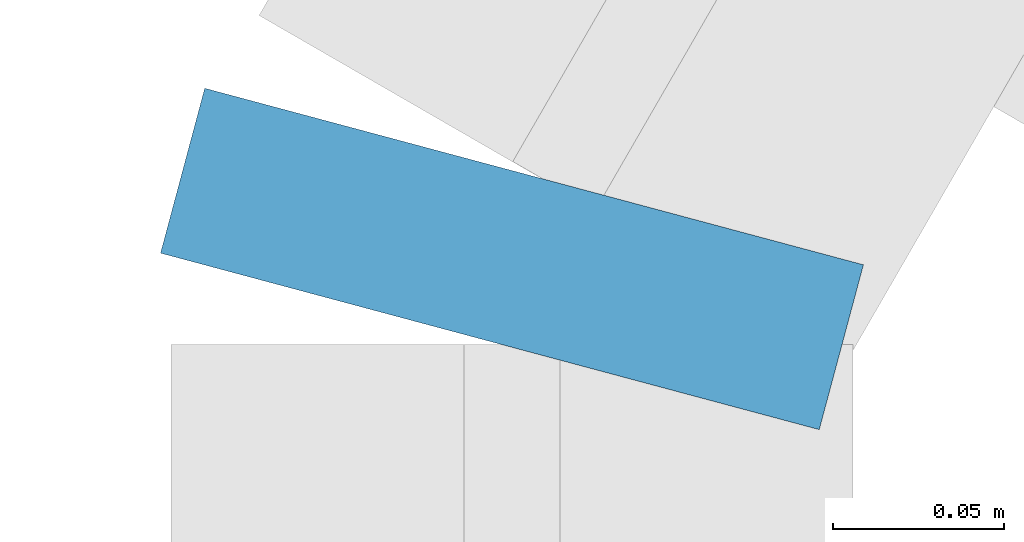
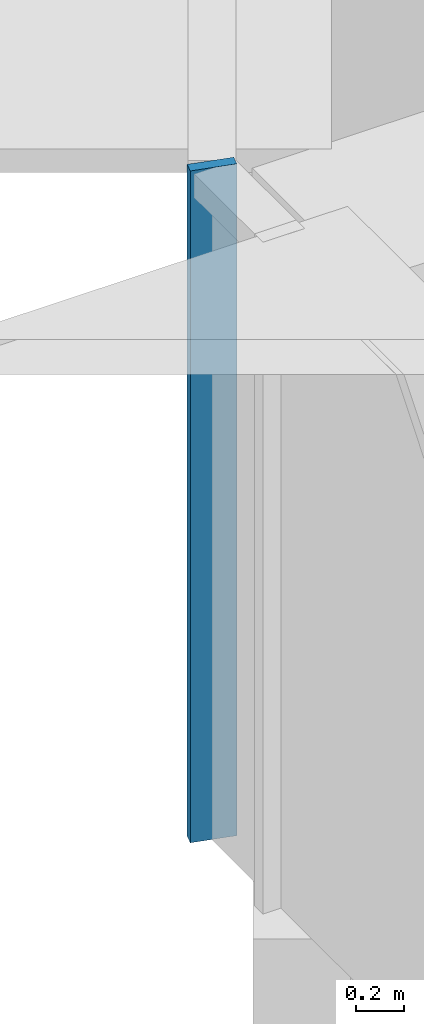
# One storey, part 4 of 18: 1 member, 1 element without a shape of its own.
"""IFC4 building model written with IfcOpenShell, lengths in metres."""

from ifc_helpers import new_model, si_unit, direction, frame, origin, origin_2d, place, context, subcontext, project, spatial, rectangle, extrude, material, layer, layer_set, material_profile, profile_set, type_object, element, aggregate, save


model = new_model("IFC4")

# Units and contexts
model_context = context("Model", 3, precision=1e-05, world=origin(), true_north=direction((0.0, 1.0)))
body_context = subcontext(model_context, "Body", "Model", "MODEL_VIEW")
ifc_project = project(units=[si_unit("LENGTHUNIT", "METRE"), si_unit("AREAUNIT", "SQUARE_METRE"), si_unit("VOLUMEUNIT", "CUBIC_METRE"), si_unit("PLANEANGLEUNIT", "RADIAN"), si_unit("MASSUNIT", "GRAM", prefix="KILO")], contexts=[model_context])

# Site, building, storey
site_placement = place(None, origin())
site = spatial("IfcSite", under=ifc_project, at=site_placement, CompositionType="ELEMENT")
building_placement = place(site_placement, origin())
building = spatial("IfcBuilding", under=site, at=building_placement, Name="Ayvan Gate Tower", CompositionType="ELEMENT")
storey_placement = place(building_placement, frame((0.0, 0.0, 159.5)))
storey = spatial("IfcBuildingStorey", under=building, at=storey_placement, Name="L42", CompositionType="ELEMENT", Elevation=159.5)

# Curtain wall, member
ifc_material = material(Name="Bronze anodised aluminium", Category="aluminium")
ifc_layer = layer(ifc_material, 0.199951171875)
ifc_layer_set = layer_set([ifc_layer], Name="Bronze anodised aluminium")
curtain_wall_type = type_object("IfcCurtainWallType", Name="Stick curtain wall CW-6", PredefinedType="NOTDEFINED", material=ifc_layer_set)
curtain_wall_placement = place(storey_placement, origin())
curtain_wall = element("IfcCurtainWall", 1, at=curtain_wall_placement, inside=storey, type_object=curtain_wall_type, Name="Stick curtain wall CW-6 L42", PredefinedType="NOTDEFINED")
ifc_material_profile = material_profile(ifc_material, rectangle(XDim=0.199951171875, YDim=0.050048828125, at=origin_2d()), Name="Stick curtain wall CW-6 mullion 200 x 50")
ifc_profile_set = profile_set([ifc_material_profile], Name="Bronze anodised aluminium")
member_type = type_object("IfcMemberType", Name="Stick curtain wall CW-6 mullion 200 x 50", PredefinedType="MULLION", material=ifc_profile_set)
member_placement = place(storey_placement, frame((-18.642822265625, 9.437255859375, 0.0), z_axis=(0.0, 0.0, 1.0), x_axis=(-0.965925826289, 0.258819045103, 0.0)))
member = element("IfcMember", 2, at=member_placement, type_object=member_type, Name="CW-6 mullion 3", PredefinedType="MULLION", context=body_context, shape_type="SweptSolid", body=[
    extrude(rectangle(XDim=0.199951171875, YDim=0.050048828125, at=origin_2d()), origin(), (0.0, 0.0, 1.0), 3.39990234375),
])
aggregate(curtain_wall, [member])

save(model, "model.ifc")
